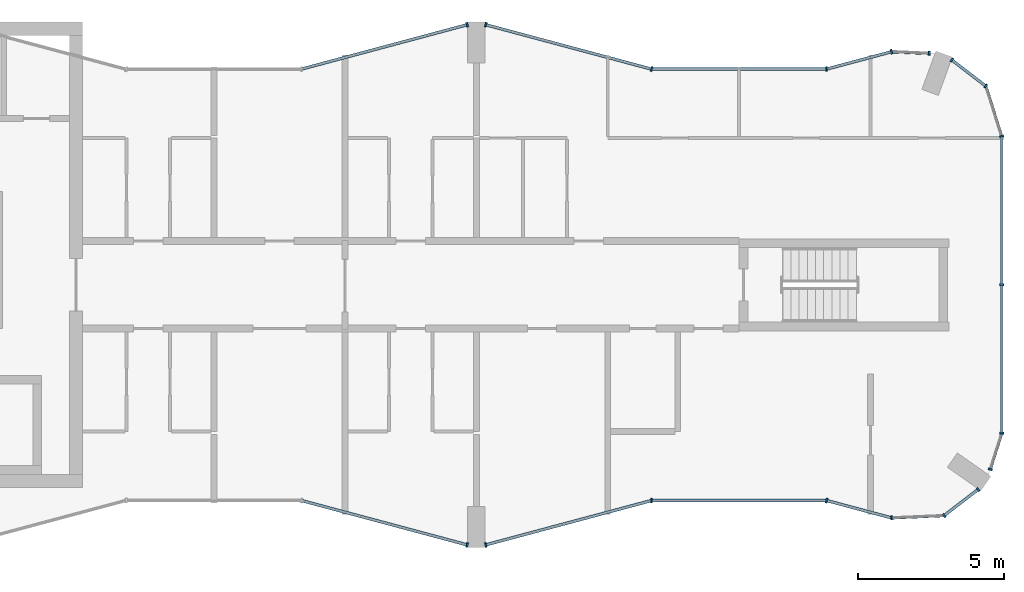
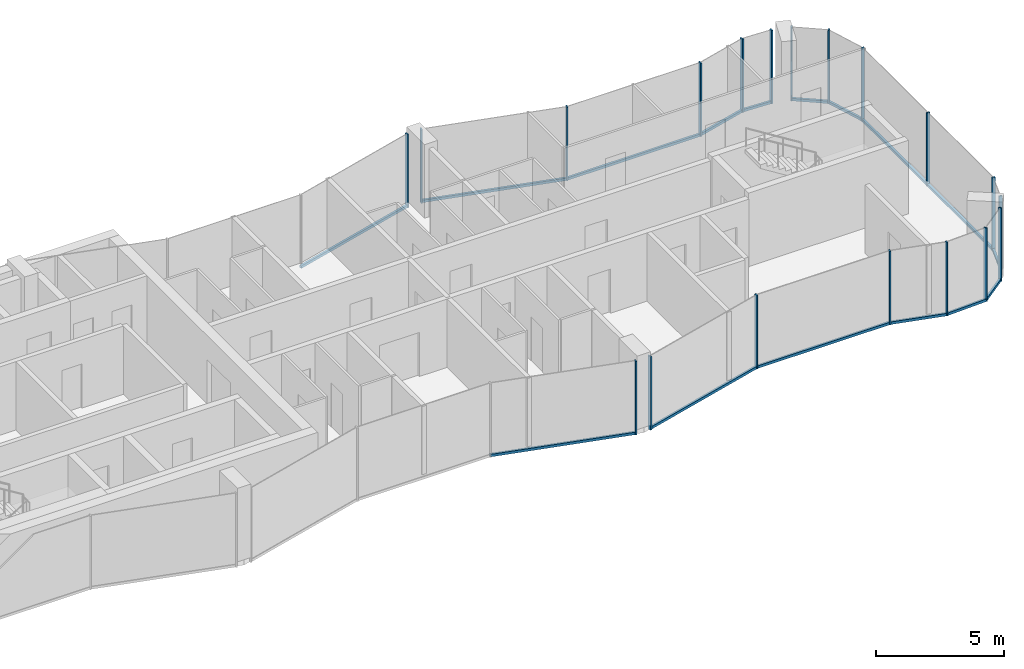
# One storey, part 5 of 10: 34 members, 15 elements without a shape of their own.
"""IFC4 building model written with IfcOpenShell, lengths in metres."""

from ifc_helpers import new_model, si_unit, direction, frame, origin, origin_2d, place, context, subcontext, project, spatial, rectangle, extrude, material, layer, layer_set, material_profile, profile_set, type_object, element, aggregate, save


model = new_model("IFC4")

# Units and contexts
model_context = context("Model", 3, precision=1e-05, world=origin(), true_north=direction((0.0, 1.0)))
body_context = subcontext(model_context, "Body", "Model", "MODEL_VIEW")
ifc_project = project(units=[si_unit("LENGTHUNIT", "METRE"), si_unit("AREAUNIT", "SQUARE_METRE"), si_unit("VOLUMEUNIT", "CUBIC_METRE"), si_unit("PLANEANGLEUNIT", "RADIAN"), si_unit("MASSUNIT", "GRAM", prefix="KILO")], contexts=[model_context])

# Site, building, storey
site_placement = place(None, origin())
site = spatial("IfcSite", under=ifc_project, at=site_placement, CompositionType="ELEMENT")
building_placement = place(site_placement, origin())
building = spatial("IfcBuilding", under=site, at=building_placement, Name="Plateau Cross Towers", CompositionType="ELEMENT")
storey_placement = place(building_placement, frame((0.0, 0.0, 259.89990234375)))
storey = spatial("IfcBuildingStorey", under=building, at=storey_placement, Name="L68", CompositionType="ELEMENT", Elevation=259.89990234375)

# Curtain wall, member
ifc_material_1 = material(Name="Dark low-iron glass", Category="glass")
ifc_layer_1 = layer(ifc_material_1, 0.239990234375)
ifc_layer_set_1 = layer_set([ifc_layer_1], Name="Dark low-iron glass")
curtain_wall_type_1 = type_object("IfcCurtainWallType", Name="Curtain wall flush unitised CW-B", PredefinedType="NOTDEFINED", material=ifc_layer_set_1)
curtain_wall_1_placement = place(storey_placement, origin())
curtain_wall_1 = element("IfcCurtainWall", 1, at=curtain_wall_1_placement, inside=storey, type_object=curtain_wall_type_1, Name="ENV/A/L68/A502_10", PredefinedType="NOTDEFINED")
ifc_material_2 = material(Name="Black anodised aluminium", Category="aluminium")
ifc_material_profile_1 = material_profile(ifc_material_2, rectangle(XDim=0.06005859375, YDim=0.139892578125, at=origin_2d()), Name="MULLION 60x140")
ifc_profile_set_1 = profile_set([ifc_material_profile_1], Name="Black anodised aluminium")
member_type_1 = type_object("IfcMemberType", Name="Mullion 60x140 flush unitised", PredefinedType="MULLION", material=ifc_profile_set_1)
member_1_placement = place(storey_placement, frame((50.223876953125, 1.01123046875, -0.25), z_axis=(0.0, 0.0, 1.0), x_axis=(0.999043701491, 0.043722791671, 0.0)))
member_1 = element("IfcMember", 2, at=member_1_placement, type_object=member_type_1, Name="CW-B mullion 1", PredefinedType="MULLION", context=body_context, shape_type="SweptSolid", body=[
    extrude(rectangle(XDim=0.06005859375, YDim=0.139892578125, at=origin_2d()), origin(), (0.0, 0.0, 1.0), 3.5),
])

# Curtain wall, members
curtain_wall_2_placement = place(storey_placement, origin())
curtain_wall_2 = element("IfcCurtainWall", 3, at=curtain_wall_2_placement, inside=storey, type_object=curtain_wall_type_1, Name="ENV/A/L68/A520_11", PredefinedType="NOTDEFINED")
member_2_placement = place(storey_placement, frame((52.0263671875, 1.090087890625, -0.25), z_axis=(0.0, 0.0, 1.0), x_axis=(0.793315514529, 0.608810721331, 0.0)))
member_2 = element("IfcMember", 4, at=member_2_placement, type_object=member_type_1, Name="CW-B mullion 1", PredefinedType="MULLION", context=body_context, shape_type="SweptSolid", body=[
    extrude(rectangle(XDim=0.06005859375, YDim=0.139892578125, at=origin_2d()), origin(), (0.0, 0.0, 1.0), 3.5),
])
member_3_placement = place(storey_placement, frame((53.193603515625, 1.986083984375, -0.25), z_axis=(0.0, 0.0, 1.0), x_axis=(0.793315514529, 0.608810721331, 0.0)))
member_3 = element("IfcMember", 5, at=member_3_placement, type_object=member_type_1, Name="CW-B mullion 2", PredefinedType="MULLION", context=body_context, shape_type="SweptSolid", body=[
    extrude(rectangle(XDim=0.06005859375, YDim=0.139892578125, at=origin_2d()), origin(), (0.0, 0.0, 1.0), 3.5),
])

# Curtain wall, member
curtain_wall_3_placement = place(storey_placement, origin())
curtain_wall_3 = element("IfcCurtainWall", 6, at=curtain_wall_3_placement, inside=storey, type_object=curtain_wall_type_1, Name="ENV/A/L68/A536_27", PredefinedType="NOTDEFINED")
member_4_placement = place(storey_placement, frame((53.611083984375, 2.67529296875, -0.25), z_axis=(0.0, 0.0, 1.0), x_axis=(0.300686174994, 0.95372313811, 0.0)))
member_4 = element("IfcMember", 7, at=member_4_placement, type_object=member_type_1, Name="CW-B mullion 1", PredefinedType="MULLION", context=body_context, shape_type="SweptSolid", body=[
    extrude(rectangle(XDim=0.06005859375, YDim=0.139892578125, at=origin_2d()), origin(), (0.0, 0.0, 1.0), 3.5),
])

# Curtain wall, members
curtain_wall_4_placement = place(storey_placement, origin())
curtain_wall_4 = element("IfcCurtainWall", 8, at=curtain_wall_4_placement, inside=storey, type_object=curtain_wall_type_1, Name="ENV/A/L68/A540_39", PredefinedType="NOTDEFINED")
member_5_placement = place(storey_placement, frame((54.0, 3.9091796875, -0.25), z_axis=(0.0, 0.0, 1.0), x_axis=(0.0, 1.0, 0.0)))
member_5 = element("IfcMember", 9, at=member_5_placement, type_object=member_type_1, Name="CW-B mullion 1", PredefinedType="MULLION", context=body_context, shape_type="SweptSolid", body=[
    extrude(rectangle(XDim=0.06005859375, YDim=0.139892578125, at=origin_2d()), origin(), (0.0, 0.0, 1.0), 3.5),
])
member_6_placement = place(storey_placement, frame((54.0, 9.0, -0.25), z_axis=(0.0, 0.0, 1.0), x_axis=(0.0, 1.0, 0.0)))
member_6 = element("IfcMember", 10, at=member_6_placement, type_object=member_type_1, Name="CW-B mullion 2", PredefinedType="MULLION", context=body_context, shape_type="SweptSolid", body=[
    extrude(rectangle(XDim=0.06005859375, YDim=0.139892578125, at=origin_2d()), origin(), (0.0, 0.0, 1.0), 3.5),
])

# Curtain wall, member
curtain_wall_5_placement = place(storey_placement, origin())
curtain_wall_5 = element("IfcCurtainWall", 11, at=curtain_wall_5_placement, inside=storey, type_object=curtain_wall_type_1, Name="ENV/A/L68/A540_141", PredefinedType="NOTDEFINED")
member_7_placement = place(storey_placement, frame((54.0, 14.0908203125, -0.25), z_axis=(0.0, 0.0, 1.0), x_axis=(-0.300686174994, 0.95372313811, 0.0)))
member_7 = element("IfcMember", 12, at=member_7_placement, type_object=member_type_1, Name="CW-B mullion 1", PredefinedType="MULLION", context=body_context, shape_type="SweptSolid", body=[
    extrude(rectangle(XDim=0.06005859375, YDim=0.139892578125, at=origin_2d()), origin(), (0.0, 0.0, 1.0), 3.5),
])

# Curtain wall, members
curtain_wall_6_placement = place(storey_placement, origin())
curtain_wall_6 = element("IfcCurtainWall", 13, at=curtain_wall_6_placement, inside=storey, type_object=curtain_wall_type_1, Name="ENV/A/L68/A535_158", PredefinedType="NOTDEFINED")
member_8_placement = place(storey_placement, frame((53.45751953125, 15.8115234375, -0.25), z_axis=(0.0, 0.0, 1.0), x_axis=(-0.793315514529, 0.608810721331, 0.0)))
member_8 = element("IfcMember", 14, at=member_8_placement, type_object=member_type_1, Name="CW-B mullion 1", PredefinedType="MULLION", context=body_context, shape_type="SweptSolid", body=[
    extrude(rectangle(XDim=0.06005859375, YDim=0.139892578125, at=origin_2d()), origin(), (0.0, 0.0, 1.0), 3.5),
])
member_9_placement = place(storey_placement, frame((52.290283203125, 16.707275390625, -0.25), z_axis=(0.0, 0.0, 1.0), x_axis=(-0.793315514529, 0.608810721331, 0.0)))
member_9 = element("IfcMember", 15, at=member_9_placement, type_object=member_type_1, Name="CW-B mullion 2", PredefinedType="MULLION", context=body_context, shape_type="SweptSolid", body=[
    extrude(rectangle(XDim=0.06005859375, YDim=0.139892578125, at=origin_2d()), origin(), (0.0, 0.0, 1.0), 3.5),
])

# Curtain wall, member
curtain_wall_7_placement = place(storey_placement, origin())
curtain_wall_7 = element("IfcCurtainWall", 16, at=curtain_wall_7_placement, inside=storey, type_object=curtain_wall_type_1, Name="ENV/A/L68/A515_169", PredefinedType="NOTDEFINED")
member_10_placement = place(storey_placement, frame((51.516357421875, 16.93212890625, -0.25), z_axis=(0.0, 0.0, 1.0), x_axis=(-0.999043701491, 0.043722791671, 0.0)))
member_10 = element("IfcMember", 17, at=member_10_placement, type_object=member_type_1, Name="CW-B mullion 1", PredefinedType="MULLION", context=body_context, shape_type="SweptSolid", body=[
    extrude(rectangle(XDim=0.06005859375, YDim=0.139892578125, at=origin_2d()), origin(), (0.0, 0.0, 1.0), 3.5),
])

ifc_layer_2 = layer(ifc_material_1, 0.260009765625)
ifc_layer_set_2 = layer_set([ifc_layer_2], Name="Dark low-iron glass")
curtain_wall_type_2 = type_object("IfcCurtainWallType", Name="Curtain wall fluted unitised CW-A", PredefinedType="NOTDEFINED", material=ifc_layer_set_2)
curtain_wall_8_placement = place(storey_placement, origin())
curtain_wall_8 = element("IfcCurtainWall", 18, at=curtain_wall_8_placement, inside=storey, type_object=curtain_wall_type_2, Name="ENV/A/L68/A300_16", PredefinedType="NOTDEFINED")
ifc_material_profile_2 = material_profile(ifc_material_2, rectangle(XDim=0.06005859375, YDim=0.159912109375, at=origin_2d()), Name="MULLION 60x160")
ifc_profile_set_2 = profile_set([ifc_material_profile_2], Name="Black anodised aluminium")
member_type_2 = type_object("IfcMemberType", Name="Mullion 60x160 fluted unitised", PredefinedType="MULLION", material=ifc_profile_set_2)
member_11_placement = place(storey_placement, frame((35.68212890625, 0.085205078125, -0.25), z_axis=(0.0, 0.0, 1.0), x_axis=(0.965957983404, -0.258699003279, 0.0)))
member_11 = element("IfcMember", 19, at=member_11_placement, type_object=member_type_2, Name="CW-A mullion 2", PredefinedType="MULLION", context=body_context, shape_type="SweptSolid", body=[
    extrude(rectangle(XDim=0.06005859375, YDim=0.159912109375, at=origin_2d()), origin(), (0.0, 0.0, 1.0), 3.5),
])

curtain_wall_9_placement = place(storey_placement, origin())
curtain_wall_9 = element("IfcCurtainWall", 20, at=curtain_wall_9_placement, inside=storey, type_object=curtain_wall_type_2, Name="ENV/A/L68/A363_1", PredefinedType="NOTDEFINED")
member_12_placement = place(storey_placement, frame((36.31787109375, 0.085205078125, -0.25), z_axis=(0.0, 0.0, 1.0), x_axis=(0.965957983404, 0.258699003279, 0.0)))
member_12 = element("IfcMember", 21, at=member_12_placement, type_object=member_type_2, Name="CW-A mullion 1", PredefinedType="MULLION", context=body_context, shape_type="SweptSolid", body=[
    extrude(rectangle(XDim=0.06005859375, YDim=0.159912109375, at=origin_2d()), origin(), (0.0, 0.0, 1.0), 3.5),
])

curtain_wall_10_placement = place(storey_placement, origin())
curtain_wall_10 = element("IfcCurtainWall", 22, at=curtain_wall_10_placement, inside=storey, type_object=curtain_wall_type_2, Name="ENV/A/L68/A420_16", PredefinedType="NOTDEFINED")
member_13_placement = place(storey_placement, frame((42.0, 1.60693359375, -0.25), z_axis=(0.0, 0.0, 1.0), x_axis=(1.0, 0.0, 0.0)))
member_13 = element("IfcMember", 23, at=member_13_placement, type_object=member_type_2, Name="CW-A mullion 1", PredefinedType="MULLION", context=body_context, shape_type="SweptSolid", body=[
    extrude(rectangle(XDim=0.06005859375, YDim=0.159912109375, at=origin_2d()), origin(), (0.0, 0.0, 1.0), 3.5),
])

curtain_wall_11_placement = place(storey_placement, origin())
curtain_wall_11 = element("IfcCurtainWall", 24, at=curtain_wall_11_placement, inside=storey, type_object=curtain_wall_type_2, Name="ENV/A/L68/A480_16", PredefinedType="NOTDEFINED")
member_14_placement = place(storey_placement, frame((48.0, 1.60693359375, -0.25), z_axis=(0.0, 0.0, 1.0), x_axis=(0.965957962328, -0.258699081978, 0.0)))
member_14 = element("IfcMember", 25, at=member_14_placement, type_object=member_type_2, Name="CW-A mullion 1", PredefinedType="MULLION", context=body_context, shape_type="SweptSolid", body=[
    extrude(rectangle(XDim=0.06005859375, YDim=0.159912109375, at=origin_2d()), origin(), (0.0, 0.0, 1.0), 3.5),
])

curtain_wall_12_placement = place(storey_placement, origin())
curtain_wall_12 = element("IfcCurtainWall", 26, at=curtain_wall_12_placement, inside=storey, type_object=curtain_wall_type_2, Name="ENV/A/L68/A502_170", PredefinedType="NOTDEFINED")
member_15_placement = place(storey_placement, frame((50.223876953125, 16.98876953125, -0.25), z_axis=(0.0, 0.0, 1.0), x_axis=(-0.965957962328, -0.258699081978, 0.0)))
member_15 = element("IfcMember", 27, at=member_15_placement, type_object=member_type_2, Name="CW-A mullion 1", PredefinedType="MULLION", context=body_context, shape_type="SweptSolid", body=[
    extrude(rectangle(XDim=0.06005859375, YDim=0.159912109375, at=origin_2d()), origin(), (0.0, 0.0, 1.0), 3.5),
])

curtain_wall_13_placement = place(storey_placement, origin())
curtain_wall_13 = element("IfcCurtainWall", 28, at=curtain_wall_13_placement, inside=storey, type_object=curtain_wall_type_2, Name="ENV/A/L68/A480_164", PredefinedType="NOTDEFINED")
member_16_placement = place(storey_placement, frame((48.0, 16.39306640625, -0.25), z_axis=(0.0, 0.0, 1.0), x_axis=(-1.0, 0.0, 0.0)))
member_16 = element("IfcMember", 29, at=member_16_placement, type_object=member_type_2, Name="CW-A mullion 1", PredefinedType="MULLION", context=body_context, shape_type="SweptSolid", body=[
    extrude(rectangle(XDim=0.06005859375, YDim=0.159912109375, at=origin_2d()), origin(), (0.0, 0.0, 1.0), 3.5),
])

# Curtain wall, members
curtain_wall_14_placement = place(storey_placement, origin())
curtain_wall_14 = element("IfcCurtainWall", 30, at=curtain_wall_14_placement, inside=storey, type_object=curtain_wall_type_2, Name="ENV/A/L68/A420_164", PredefinedType="NOTDEFINED")
member_17_placement = place(storey_placement, frame((42.0, 16.39306640625, -0.25), z_axis=(0.0, 0.0, 1.0), x_axis=(-0.965957983404, 0.258699003279, 0.0)))
member_17 = element("IfcMember", 31, at=member_17_placement, type_object=member_type_2, Name="CW-A mullion 1", PredefinedType="MULLION", context=body_context, shape_type="SweptSolid", body=[
    extrude(rectangle(XDim=0.06005859375, YDim=0.159912109375, at=origin_2d()), origin(), (0.0, 0.0, 1.0), 3.5),
])
member_18_placement = place(storey_placement, frame((36.31787109375, 17.914794921875, -0.25), z_axis=(0.0, 0.0, 1.0), x_axis=(-0.965957983404, 0.258699003279, 0.0)))
member_18 = element("IfcMember", 32, at=member_18_placement, type_object=member_type_2, Name="CW-A mullion 2", PredefinedType="MULLION", context=body_context, shape_type="SweptSolid", body=[
    extrude(rectangle(XDim=0.06005859375, YDim=0.159912109375, at=origin_2d()), origin(), (0.0, 0.0, 1.0), 3.5),
])

# Curtain wall, member
curtain_wall_15_placement = place(storey_placement, origin())
curtain_wall_15 = element("IfcCurtainWall", 33, at=curtain_wall_15_placement, inside=storey, type_object=curtain_wall_type_2, Name="ENV/A/L68/A357_179", PredefinedType="NOTDEFINED")
member_19_placement = place(storey_placement, frame((35.68212890625, 17.914794921875, -0.25), z_axis=(0.0, 0.0, 1.0), x_axis=(-0.965957983404, -0.258699003279, 0.0)))
member_19 = element("IfcMember", 34, at=member_19_placement, type_object=member_type_2, Name="CW-A mullion 1", PredefinedType="MULLION", context=body_context, shape_type="SweptSolid", body=[
    extrude(rectangle(XDim=0.06005859375, YDim=0.159912109375, at=origin_2d()), origin(), (0.0, 0.0, 1.0), 3.5),
])

# Member
ifc_material_profile_3 = material_profile(ifc_material_2, rectangle(XDim=0.10009765625, YDim=0.1201171875, at=origin_2d()), Name="TRANSOM 100x120")
ifc_profile_set_3 = profile_set([ifc_material_profile_3], Name="Black anodised aluminium")
member_type_3 = type_object("IfcMemberType", Name="Transom 100x120 flush unitised", PredefinedType="USERDEFINED", material=ifc_profile_set_3)
member_20_placement = place(storey_placement, frame((50.223876953125, 1.01123046875, -0.18994140625), z_axis=(0.999044377355, 0.043707345779, 0.0), x_axis=(-0.043707345779, 0.999044377355, 0.0)))
member_20 = element("IfcMember", 35, at=member_20_placement, type_object=member_type_3, Name="CW-B transom", ObjectType="TRANSOM", PredefinedType="USERDEFINED", context=body_context, shape_type="SweptSolid", body=[
    extrude(rectangle(XDim=0.10009765625, YDim=0.1201171875, at=origin_2d()), origin(), (0.0, 0.0, 1.0), 1.80419921875),
])

aggregate(curtain_wall_1, [member_1, member_20])

member_21_placement = place(storey_placement, frame((52.0263671875, 1.090087890625, -0.18994140625), z_axis=(0.793240368515, 0.608908628415, 0.0), x_axis=(-0.608908628415, 0.793240368515, 0.0)))
member_21 = element("IfcMember", 36, at=member_21_placement, type_object=member_type_3, Name="CW-B transom", ObjectType="TRANSOM", PredefinedType="USERDEFINED", context=body_context, shape_type="SweptSolid", body=[
    extrude(rectangle(XDim=0.10009765625, YDim=0.1201171875, at=origin_2d()), origin(), (0.0, 0.0, 1.0), 1.471435546875),
])

aggregate(curtain_wall_2, [member_2, member_3, member_21])

member_22_placement = place(storey_placement, frame((53.611083984375, 2.67529296875, -0.18994140625), z_axis=(0.300616528216, 0.953745093284, 0.0), x_axis=(-0.953745093284, 0.300616528216, 0.0)))
member_22 = element("IfcMember", 37, at=member_22_placement, type_object=member_type_3, Name="CW-B transom", ObjectType="TRANSOM", PredefinedType="USERDEFINED", context=body_context, shape_type="SweptSolid", body=[
    extrude(rectangle(XDim=0.10009765625, YDim=0.1201171875, at=origin_2d()), origin(), (0.0, 0.0, 1.0), 1.293701171875),
])

aggregate(curtain_wall_3, [member_4, member_22])

member_23_placement = place(storey_placement, frame((54.0, 3.9091796875, -0.18994140625), z_axis=(0.0, 1.0, 0.0), x_axis=(-1.0, 0.0, 0.0)))
member_23 = element("IfcMember", 38, at=member_23_placement, type_object=member_type_3, Name="CW-B transom", ObjectType="TRANSOM", PredefinedType="USERDEFINED", context=body_context, shape_type="SweptSolid", body=[
    extrude(rectangle(XDim=0.10009765625, YDim=0.1201171875, at=origin_2d()), origin(), (0.0, 0.0, 1.0), 10.181640625),
])

aggregate(curtain_wall_4, [member_5, member_6, member_23])

member_24_placement = place(storey_placement, frame((54.0, 14.0908203125, -0.18994140625), z_axis=(-0.30067799945, 0.953725715626, 0.0), x_axis=(-0.953725715626, -0.30067799945, 0.0)))
member_24 = element("IfcMember", 39, at=member_24_placement, type_object=member_type_3, Name="CW-B transom", ObjectType="TRANSOM", PredefinedType="USERDEFINED", context=body_context, shape_type="SweptSolid", body=[
    extrude(rectangle(XDim=0.10009765625, YDim=0.1201171875, at=origin_2d()), origin(), (0.0, 0.0, 1.0), 1.80419921875),
])

aggregate(curtain_wall_5, [member_7, member_24])

member_25_placement = place(storey_placement, frame((53.45751953125, 15.8115234375, -0.18994140625), z_axis=(-0.793320508571, 0.608804213751, 0.0), x_axis=(-0.608804213751, -0.793320508571, 0.0)))
member_25 = element("IfcMember", 40, at=member_25_placement, type_object=member_type_3, Name="CW-B transom", ObjectType="TRANSOM", PredefinedType="USERDEFINED", context=body_context, shape_type="SweptSolid", body=[
    extrude(rectangle(XDim=0.10009765625, YDim=0.1201171875, at=origin_2d()), origin(), (0.0, 0.0, 1.0), 1.471435546875),
])

aggregate(curtain_wall_6, [member_8, member_9, member_25])

member_26_placement = place(storey_placement, frame((51.516357421875, 16.93212890625, -0.18994140625), z_axis=(-0.999041144614, 0.043781175963, 0.0), x_axis=(-0.043781175963, -0.999041144614, 0.0)))
member_26 = element("IfcMember", 41, at=member_26_placement, type_object=member_type_3, Name="CW-B transom", ObjectType="TRANSOM", PredefinedType="USERDEFINED", context=body_context, shape_type="SweptSolid", body=[
    extrude(rectangle(XDim=0.10009765625, YDim=0.1201171875, at=origin_2d()), origin(), (0.0, 0.0, 1.0), 1.293701171875),
])

aggregate(curtain_wall_7, [member_10, member_26])

ifc_material_profile_4 = material_profile(ifc_material_2, rectangle(XDim=0.10009765625, YDim=0.1201171875, at=origin_2d()), Name="TRANSOM 100x120")
ifc_profile_set_4 = profile_set([ifc_material_profile_4], Name="Black anodised aluminium")
member_type_4 = type_object("IfcMemberType", Name="Transom 100x120 fluted unitised", PredefinedType="USERDEFINED", material=ifc_profile_set_4)
member_27_placement = place(storey_placement, frame((30.0, 1.60693359375, -0.18994140625), z_axis=(0.965959534794, -0.258693210465, 0.0), x_axis=(0.258693210465, 0.965959534794, 0.0)))
member_27 = element("IfcMember", 42, at=member_27_placement, type_object=member_type_4, Name="CW-A transom", ObjectType="TRANSOM", PredefinedType="USERDEFINED", context=body_context, shape_type="SweptSolid", body=[
    extrude(rectangle(XDim=0.10009765625, YDim=0.1201171875, at=origin_2d()), origin(), (0.0, 0.0, 1.0), 5.88232421875),
])

aggregate(curtain_wall_8, [member_11, member_27])

member_28_placement = place(storey_placement, frame((36.31787109375, 0.085205078125, -0.18994140625), z_axis=(0.965959534794, 0.258693210465, 0.0), x_axis=(-0.258693210465, 0.965959534794, 0.0)))
member_28 = element("IfcMember", 43, at=member_28_placement, type_object=member_type_4, Name="CW-A transom", ObjectType="TRANSOM", PredefinedType="USERDEFINED", context=body_context, shape_type="SweptSolid", body=[
    extrude(rectangle(XDim=0.10009765625, YDim=0.1201171875, at=origin_2d()), origin(), (0.0, 0.0, 1.0), 5.88232421875),
])

aggregate(curtain_wall_9, [member_12, member_28])

member_29_placement = place(storey_placement, frame((42.0, 1.60693359375, -0.18994140625), z_axis=(1.0, 0.0, 0.0), x_axis=(0.0, 1.0, 0.0)))
member_29 = element("IfcMember", 44, at=member_29_placement, type_object=member_type_4, Name="CW-A transom", ObjectType="TRANSOM", PredefinedType="USERDEFINED", context=body_context, shape_type="SweptSolid", body=[
    extrude(rectangle(XDim=0.10009765625, YDim=0.1201171875, at=origin_2d()), origin(), (0.0, 0.0, 1.0), 6.0),
])

aggregate(curtain_wall_10, [member_13, member_29])

member_30_placement = place(storey_placement, frame((48.0, 1.60693359375, -0.18994140625), z_axis=(0.965945685136, -0.258744919501, 0.0), x_axis=(0.258744919501, 0.965945685136, 0.0)))
member_30 = element("IfcMember", 45, at=member_30_placement, type_object=member_type_4, Name="CW-A transom", ObjectType="TRANSOM", PredefinedType="USERDEFINED", context=body_context, shape_type="SweptSolid", body=[
    extrude(rectangle(XDim=0.10009765625, YDim=0.1201171875, at=origin_2d()), origin(), (0.0, 0.0, 1.0), 2.30224609375),
])

aggregate(curtain_wall_11, [member_14, member_30])

member_31_placement = place(storey_placement, frame((50.223876953125, 16.98876953125, -0.18994140625), z_axis=(-0.965945685136, -0.258744919501, 0.0), x_axis=(0.258744919501, -0.965945685136, 0.0)))
member_31 = element("IfcMember", 46, at=member_31_placement, type_object=member_type_4, Name="CW-A transom", ObjectType="TRANSOM", PredefinedType="USERDEFINED", context=body_context, shape_type="SweptSolid", body=[
    extrude(rectangle(XDim=0.10009765625, YDim=0.1201171875, at=origin_2d()), origin(), (0.0, 0.0, 1.0), 2.30224609375),
])

aggregate(curtain_wall_12, [member_15, member_31])

member_32_placement = place(storey_placement, frame((48.0, 16.39306640625, -0.18994140625), z_axis=(-1.0, 0.0, 0.0), x_axis=(0.0, -1.0, 0.0)))
member_32 = element("IfcMember", 47, at=member_32_placement, type_object=member_type_4, Name="CW-A transom", ObjectType="TRANSOM", PredefinedType="USERDEFINED", context=body_context, shape_type="SweptSolid", body=[
    extrude(rectangle(XDim=0.10009765625, YDim=0.1201171875, at=origin_2d()), origin(), (0.0, 0.0, 1.0), 6.0),
])

aggregate(curtain_wall_13, [member_16, member_32])

member_33_placement = place(storey_placement, frame((42.0, 16.39306640625, -0.18994140625), z_axis=(-0.965959534794, 0.258693210465, 0.0), x_axis=(-0.258693210465, -0.965959534794, 0.0)))
member_33 = element("IfcMember", 48, at=member_33_placement, type_object=member_type_4, Name="CW-A transom", ObjectType="TRANSOM", PredefinedType="USERDEFINED", context=body_context, shape_type="SweptSolid", body=[
    extrude(rectangle(XDim=0.10009765625, YDim=0.1201171875, at=origin_2d()), origin(), (0.0, 0.0, 1.0), 5.88232421875),
])

aggregate(curtain_wall_14, [member_17, member_18, member_33])

member_34_placement = place(storey_placement, frame((35.68212890625, 17.914794921875, -0.18994140625), z_axis=(-0.965959534794, -0.258693210465, 0.0), x_axis=(0.258693210465, -0.965959534794, 0.0)))
member_34 = element("IfcMember", 49, at=member_34_placement, type_object=member_type_4, Name="CW-A transom", ObjectType="TRANSOM", PredefinedType="USERDEFINED", context=body_context, shape_type="SweptSolid", body=[
    extrude(rectangle(XDim=0.10009765625, YDim=0.1201171875, at=origin_2d()), origin(), (0.0, 0.0, 1.0), 5.88232421875),
])

aggregate(curtain_wall_15, [member_19, member_34])

save(model, "model.ifc")
